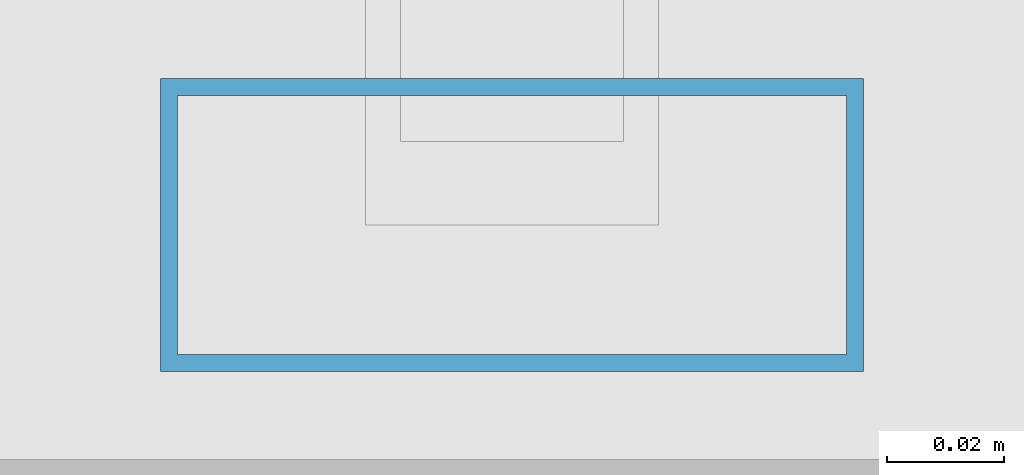
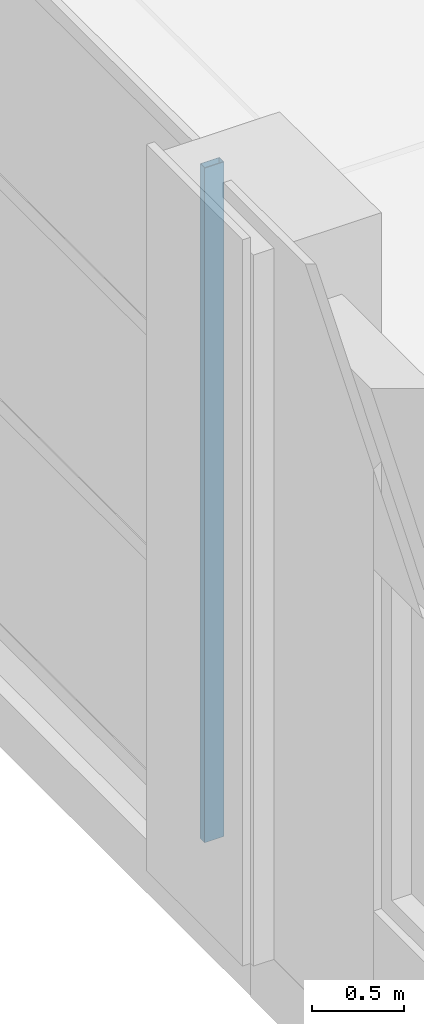
# One storey, part 33 of 112: 1 member, 1 element without a shape of its own.
"""IFC4 building model written with IfcOpenShell, lengths in metres."""

from ifc_helpers import new_model, si_unit, direction, frame, origin, origin_2d, place, context, subcontext, project, spatial, hollow_rectangle, extrude, material, material_profile, profile_set, type_object, element, aggregate, save


model = new_model("IFC4")

# Units and contexts
model_context = context("Model", 3, precision=1e-05, world=origin(), true_north=direction((0.0, 1.0)))
body_context = subcontext(model_context, "Body", "Model", "MODEL_VIEW")
ifc_project = project(units=[si_unit("LENGTHUNIT", "METRE"), si_unit("AREAUNIT", "SQUARE_METRE"), si_unit("VOLUMEUNIT", "CUBIC_METRE"), si_unit("PLANEANGLEUNIT", "RADIAN"), si_unit("MASSUNIT", "GRAM", prefix="KILO")], contexts=[model_context])

# Site, building, storey
site_placement = place(None, origin())
site = spatial("IfcSite", under=ifc_project, at=site_placement, CompositionType="ELEMENT")
building_placement = place(site_placement, origin())
building = spatial("IfcBuilding", under=site, at=building_placement, Name="Solvikara Media Centre", CompositionType="ELEMENT")
storey_placement = place(building_placement, frame((0.0, 0.0, 5.39990234375)))
storey = spatial("IfcBuildingStorey", under=building, at=storey_placement, Name="L01", CompositionType="ELEMENT", Elevation=5.39990234375)

# Curtain wall, member
ifc_material = material(Name="Anodised aluminium EN AW-6063", Category="aluminium")
curtain_wall_type = type_object("IfcCurtainWallType", Name="CW-12", PredefinedType="NOTDEFINED", material=ifc_material)
curtain_wall_placement = place(storey_placement, origin())
curtain_wall = element("IfcCurtainWall", 1, at=curtain_wall_placement, inside=storey, type_object=curtain_wall_type, Name="CW-L01-V2W-S1", PredefinedType="NOTDEFINED")
ifc_material_profile = material_profile(ifc_material, hollow_rectangle(XDim=0.050048828125, YDim=0.1201171875, WallThickness=0.0029296875, at=origin_2d()), Name="ALU-M 50x120x3")
ifc_profile_set = profile_set([ifc_material_profile], Name="Anodised aluminium EN AW-6063")
member_type = type_object("IfcMemberType", Name="MF-06", PredefinedType="MULLION", material=ifc_profile_set)
member_placement = place(storey_placement, frame((127.5, 47.090087890625, 0.02001953125), z_axis=(0.0, 0.0, 1.0), x_axis=(0.0, 1.0, 0.0)))
member = element("IfcMember", 2, at=member_placement, type_object=member_type, Name="CW-L01-V2W-S1-M00", PredefinedType="MULLION", context=body_context, shape_type="SweptSolid", body=[
    extrude(hollow_rectangle(XDim=0.050048828125, YDim=0.1201171875, WallThickness=0.0029296875, at=origin_2d()), origin(), (0.0, 0.0, 1.0), 4.4599609375),
])
aggregate(curtain_wall, [member])

save(model, "model.ifc")
